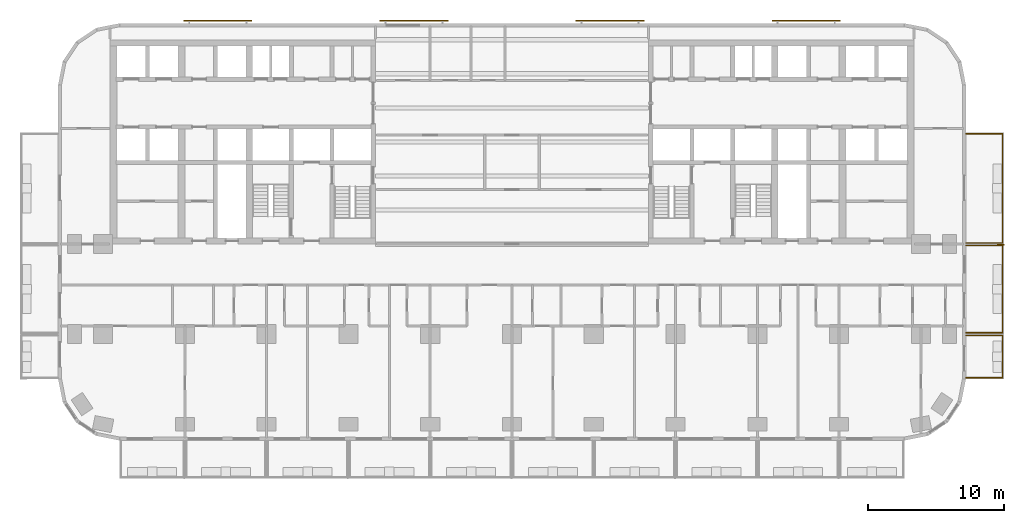
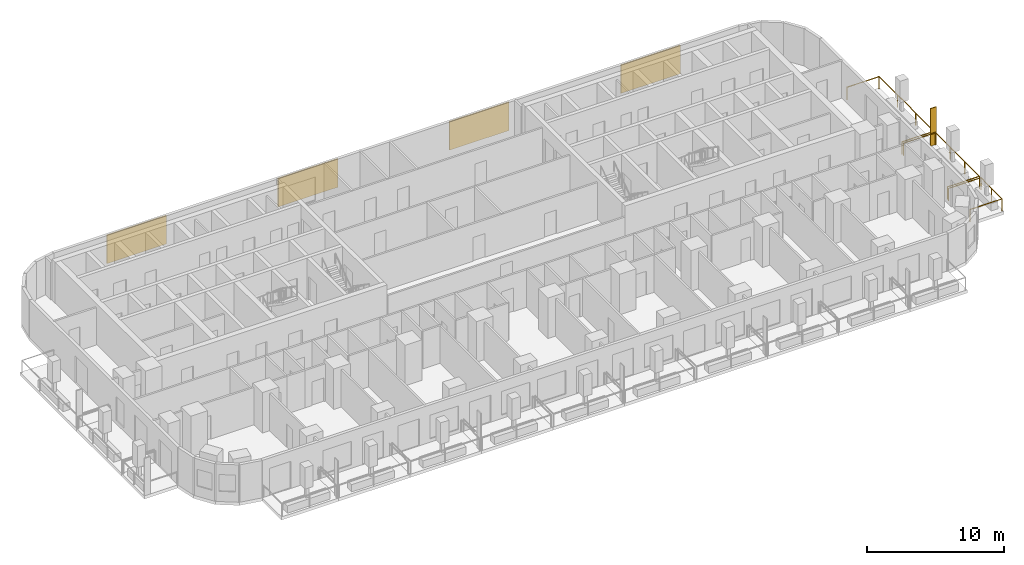
# One storey, part 14 of 15: 5 shading devices, 3 railings.
"""IFC4 building model written with IfcOpenShell, lengths in metres."""

from ifc_helpers import new_model, si_unit, direction, frame, origin, origin_2d, place, context, subcontext, project, spatial, rectangle, circle, extrude, material, layer, layer_set, type_object, element, save


model = new_model("IFC4")

# Units and contexts
model_context = context("Model", 3, precision=1e-05, world=origin(), true_north=direction((0.0, 1.0)))
body_context = subcontext(model_context, "Body", "Model", "MODEL_VIEW")
ifc_project = project(units=[si_unit("LENGTHUNIT", "METRE"), si_unit("AREAUNIT", "SQUARE_METRE"), si_unit("VOLUMEUNIT", "CUBIC_METRE"), si_unit("PLANEANGLEUNIT", "RADIAN"), si_unit("MASSUNIT", "GRAM", prefix="KILO")], contexts=[model_context])

# Site, building, storey
site_placement = place(None, origin())
site = spatial("IfcSite", under=ifc_project, at=site_placement, CompositionType="ELEMENT")
building_placement = place(site_placement, origin())
building = spatial("IfcBuilding", under=site, at=building_placement, Name="Torana Hotel and Residences", CompositionType="ELEMENT")
storey_placement = place(building_placement, frame((0.0, 0.0, 67.199951171875)))
storey = spatial("IfcBuildingStorey", under=building, at=storey_placement, Name="L16", CompositionType="ELEMENT", Elevation=67.199951171875)

# Shading device
ifc_material_1 = material(Name="Black powder coated aluminium", Category="aluminium")
ifc_layer_1 = layer(ifc_material_1, 0.080078125)
ifc_layer_set_1 = layer_set([ifc_layer_1], Name="FN1 VERTICAL FIN 500x80")
shading_device_type_1 = type_object("IfcShadingDeviceType", Name="FN1 VERTICAL FIN 500x80", PredefinedType="USERDEFINED", material=ifc_layer_set_1)
shading_device_placement = place(storey_placement, frame((35.85009765625, -15.0400390625, 0.0), z_axis=(0.0, 0.0, 1.0), x_axis=(0.0, -1.0, 0.0)))
element("IfcShadingDevice", 1, at=shading_device_placement, inside=storey, type_object=shading_device_type_1, Name="Fin 15", ObjectType="FIN", PredefinedType="USERDEFINED", context=body_context, shape_type="SweptSolid", body=[
    extrude(rectangle(XDim=0.080078125, YDim=0.5, at=origin_2d()), origin(), (0.0, 0.0, 1.0), 3.320068359375),
])

# Railings
ifc_material_2 = material(Name="Laminated glass balustrade with black handrail", Category="glass")
railing_type = type_object("IfcRailingType", Name="GR1 BALCONY GUARD 1100 GLASS", PredefinedType="GUARDRAIL", material=ifc_material_2)
railing_1_placement = place(storey_placement, frame((33.300048828125, -21.699951171875, 0.0)))
element("IfcRailing", 2, at=railing_1_placement, inside=storey, type_object=railing_type, Name="Balcony guard 14", PredefinedType="GUARDRAIL", context=body_context, shape_type="SweptSolid", body=[
    extrude(circle(Radius=0.02392578125, at=origin_2d()), frame((0.0, 0.0, 1.076171875), z_axis=(1.0, 0.0, 0.0), x_axis=(0.0, 1.0, 0.0)), (0.0, 0.0, 1.0), 2.699951171875),
    extrude(circle(Radius=0.02392578125, at=origin_2d()), frame((2.699951171875, 0.0, 1.076171875), z_axis=(0.0, -1.0, 0.0), x_axis=(1.0, 0.0, 0.0)), (0.0, 0.0, 1.0), 3.10009765625),
    extrude(circle(Radius=0.02392578125, at=origin_2d()), frame((2.699951171875, -3.10009765625, 1.076171875), z_axis=(-1.0, 0.0, 0.0), x_axis=(0.0, -1.0, 0.0)), (0.0, 0.0, 1.0), 2.699951171875),
    extrude(circle(Radius=0.02099609375, at=origin_2d()), origin(), (0.0, 0.0, 1.0), 1.052001953125),
    extrude(circle(Radius=0.02099609375, at=origin_2d()), frame((2.699951171875, 0.0, 0.0)), (0.0, 0.0, 1.0), 1.052001953125),
    extrude(circle(Radius=0.02099609375, at=origin_2d()), frame((2.699951171875, -1.550048828125, 0.0)), (0.0, 0.0, 1.0), 1.052001953125),
    extrude(circle(Radius=0.02099609375, at=origin_2d()), frame((2.699951171875, -3.10009765625, 0.0)), (0.0, 0.0, 1.0), 1.052001953125),
    extrude(circle(Radius=0.02099609375, at=origin_2d()), frame((0.0, -3.10009765625, 0.0)), (0.0, 0.0, 1.0), 1.052001953125),
])
railing_2_placement = place(storey_placement, frame((33.300048828125, -15.10009765625, 0.0)))
element("IfcRailing", 3, at=railing_2_placement, inside=storey, type_object=railing_type, Name="Balcony guard 15", PredefinedType="GUARDRAIL", context=body_context, shape_type="SweptSolid", body=[
    extrude(circle(Radius=0.02392578125, at=origin_2d()), frame((0.0, 0.0, 1.076171875), z_axis=(1.0, 0.0, 0.0), x_axis=(0.0, 1.0, 0.0)), (0.0, 0.0, 1.0), 2.699951171875),
    extrude(circle(Radius=0.02392578125, at=origin_2d()), frame((2.699951171875, 0.0, 1.076171875), z_axis=(0.0, -1.0, 0.0), x_axis=(1.0, 0.0, 0.0)), (0.0, 0.0, 1.0), 6.39990234375),
    extrude(circle(Radius=0.02392578125, at=origin_2d()), frame((2.699951171875, -6.39990234375, 1.076171875), z_axis=(-1.0, 0.0, 0.0), x_axis=(0.0, -1.0, 0.0)), (0.0, 0.0, 1.0), 2.699951171875),
    extrude(circle(Radius=0.02099609375, at=origin_2d()), origin(), (0.0, 0.0, 1.0), 1.052001953125),
    extrude(circle(Radius=0.02099609375, at=origin_2d()), frame((2.699951171875, 0.0, 0.0)), (0.0, 0.0, 1.0), 1.052001953125),
    extrude(circle(Radius=0.02099609375, at=origin_2d()), frame((2.699951171875, -2.13330078125, 0.0)), (0.0, 0.0, 1.0), 1.052001953125),
    extrude(circle(Radius=0.02099609375, at=origin_2d()), frame((2.699951171875, -4.2666015625, 0.0)), (0.0, 0.0, 1.0), 1.052001953125),
    extrude(circle(Radius=0.02099609375, at=origin_2d()), frame((2.699951171875, -6.39990234375, 0.0)), (0.0, 0.0, 1.0), 1.052001953125),
    extrude(circle(Radius=0.02099609375, at=origin_2d()), frame((0.0, -6.39990234375, 0.0)), (0.0, 0.0, 1.0), 1.052001953125),
])
railing_3_placement = place(storey_placement, frame((33.300048828125, -6.89990234375, 0.0)))
element("IfcRailing", 4, at=railing_3_placement, inside=storey, type_object=railing_type, Name="Balcony guard 16", PredefinedType="GUARDRAIL", context=body_context, shape_type="SweptSolid", body=[
    extrude(circle(Radius=0.02392578125, at=origin_2d()), frame((0.0, 0.0, 1.076171875), z_axis=(1.0, 0.0, 0.0), x_axis=(0.0, 1.0, 0.0)), (0.0, 0.0, 1.0), 2.699951171875),
    extrude(circle(Radius=0.02392578125, at=origin_2d()), frame((2.699951171875, 0.0, 1.076171875), z_axis=(0.0, -1.0, 0.0), x_axis=(1.0, 0.0, 0.0)), (0.0, 0.0, 1.0), 8.0),
    extrude(circle(Radius=0.02392578125, at=origin_2d()), frame((2.699951171875, -8.0, 1.076171875), z_axis=(-1.0, 0.0, 0.0), x_axis=(0.0, -1.0, 0.0)), (0.0, 0.0, 1.0), 2.699951171875),
    extrude(circle(Radius=0.02099609375, at=origin_2d()), origin(), (0.0, 0.0, 1.0), 1.052001953125),
    extrude(circle(Radius=0.02099609375, at=origin_2d()), frame((2.699951171875, 0.0, 0.0)), (0.0, 0.0, 1.0), 1.052001953125),
    extrude(circle(Radius=0.02099609375, at=origin_2d()), frame((2.699951171875, -2.666748046875, 0.0)), (0.0, 0.0, 1.0), 1.052001953125),
    extrude(circle(Radius=0.02099609375, at=origin_2d()), frame((2.699951171875, -5.333251953125, 0.0)), (0.0, 0.0, 1.0), 1.052001953125),
    extrude(circle(Radius=0.02099609375, at=origin_2d()), frame((2.699951171875, -8.0, 0.0)), (0.0, 0.0, 1.0), 1.052001953125),
    extrude(circle(Radius=0.02099609375, at=origin_2d()), frame((0.0, -8.0, 0.0)), (0.0, 0.0, 1.0), 1.052001953125),
])

# Shading devices
ifc_material_3 = material(Name="Concrete C40/50 precast", Category="concrete")
ifc_layer_2 = layer(ifc_material_3, 0.10009765625)
ifc_layer_set_2 = layer_set([ifc_layer_2], Name="SC1 PERFORATED BLOCK SCREEN PANEL 100")
shading_device_type_2 = type_object("IfcShadingDeviceType", Name="SC1 PERFORATED BLOCK SCREEN PANEL 100", PredefinedType="USERDEFINED", material=ifc_layer_set_2)
for number, where, z_axis, x_axis, name in (
    (5, (21.58154296875, 1.39990234375, 0.5), (0.0, 0.0, 1.0), (-1.0, 0.0, 0.0), "Perforated block screen L16"),
    (6, (7.19384765625, 1.39990234375, 0.5), (0.0, 0.0, 1.0), (-1.0, 0.0, 0.0), "Perforated block screen L16"),
    (7, (-7.19384765625, 1.39990234375, 0.5), (0.0, 0.0, 1.0), (-1.0, 0.0, 0.0), "Perforated block screen L16"),
    (8, (-21.58154296875, 1.39990234375, 0.5), (0.0, 0.0, 1.0), (-1.0, 0.0, 0.0), "Perforated block screen L16"),
):
    element("IfcShadingDevice", number, at=place(storey_placement, frame(where, z_axis=z_axis, x_axis=x_axis)), inside=storey, type_object=shading_device_type_2, Name=name, ObjectType="SCREEN", PredefinedType="USERDEFINED", context=body_context, shape_type="SweptSolid", body=[
        extrude(rectangle(XDim=5.0, YDim=0.10009765625, at=origin_2d()), origin(), (0.0, 0.0, 1.0), 2.52001953125),
    ])

save(model, "model.ifc")
